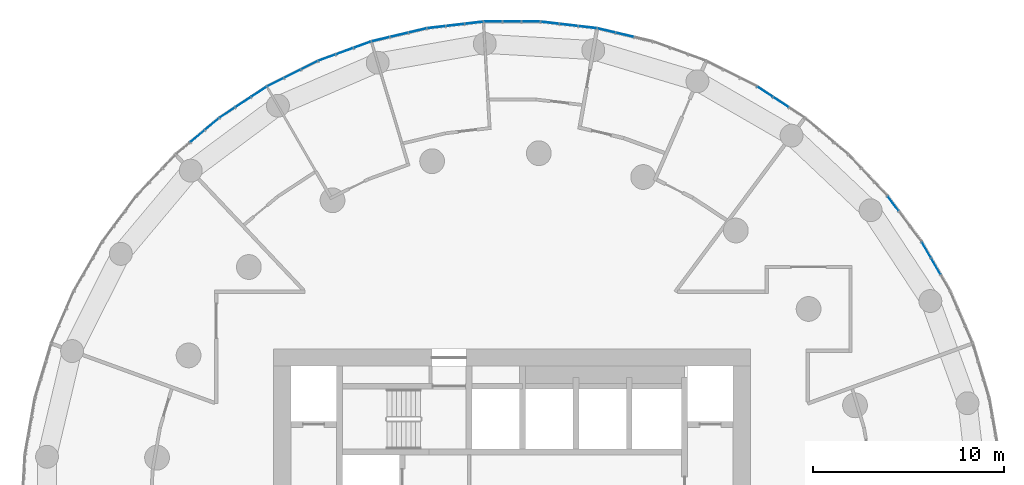
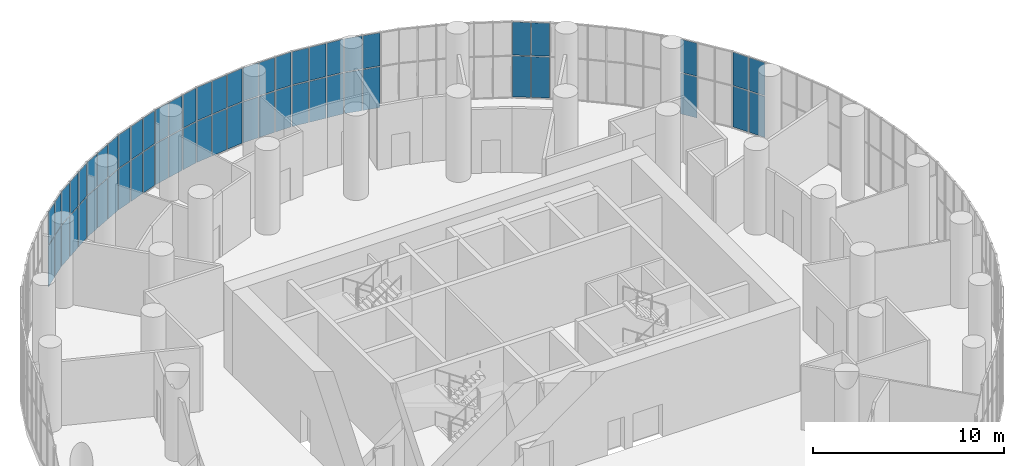
# One storey, part 14 of 21: 60 plates, 12 elements without a shape of their own.
"""IFC4 building model written with IfcOpenShell, lengths in metres."""

from ifc_helpers import new_model, si_unit, direction, frame, origin, origin_2d, place, context, subcontext, project, spatial, rectangle, extrude, material, layer, layer_set, type_object, element, aggregate, save


model = new_model("IFC4")

# Units and contexts
model_context = context("Model", 3, precision=1e-05, world=origin(), true_north=direction((0.0, 1.0)))
body_context = subcontext(model_context, "Body", "Model", "MODEL_VIEW")
ifc_project = project(units=[si_unit("LENGTHUNIT", "METRE"), si_unit("AREAUNIT", "SQUARE_METRE"), si_unit("VOLUMEUNIT", "CUBIC_METRE"), si_unit("PLANEANGLEUNIT", "RADIAN"), si_unit("MASSUNIT", "GRAM", prefix="KILO")], contexts=[model_context])

# Site, building, storey
site_placement = place(None, origin())
site = spatial("IfcSite", under=ifc_project, at=site_placement, CompositionType="ELEMENT")
building_placement = place(site_placement, origin())
building = spatial("IfcBuilding", under=site, at=building_placement, Name="Tracery Tower", CompositionType="ELEMENT")
storey_placement = place(building_placement, frame((0.0, 0.0, 219.60009765625)))
storey = spatial("IfcBuildingStorey", under=building, at=storey_placement, Name="L57", CompositionType="ELEMENT", Elevation=219.60009765625)

# Curtain wall, plates
ifc_material_1 = material(Name="Aluminium curtain wall with tinted glass", Category="aluminium")
ifc_layer_1 = layer(ifc_material_1, 0.159912109375)
ifc_layer_set_1 = layer_set([ifc_layer_1], Name="Sky lounge 2 tracery curtain wall")
curtain_wall_type = type_object("IfcCurtainWallType", Name="Sky lounge 2 tracery curtain wall", PredefinedType="NOTDEFINED", material=ifc_layer_set_1)
curtain_wall_1_placement = place(storey_placement, origin())
curtain_wall_1 = element("IfcCurtainWall", 1, at=curtain_wall_1_placement, inside=storey, type_object=curtain_wall_type, Name="Sky lounge 2 curtain wall run 5", PredefinedType="NOTDEFINED")
ifc_material_2 = material(Name="Tinted laminated glass", Category="glass")
ifc_layer_2 = layer(ifc_material_2, 0.028076171875)
ifc_layer_set_2 = layer_set([ifc_layer_2], Name="Sky lounge 2 glass panel 28")
plate_type = type_object("IfcPlateType", Name="Sky lounge 2 glass panel 28", PredefinedType="CURTAIN_PANEL", material=ifc_layer_set_2)
plate_1_placement = place(storey_placement, frame((22.225830078125, 12.83203125, 0.06005859375), z_axis=(0.0, 0.0, 1.0), x_axis=(-0.5, 0.866025403784, 0.0)))
plate_1 = element("IfcPlate", 2, at=plate_1_placement, type_object=plate_type, Name="Sky lounge 2 curtain wall run 5 glass panel 3", PredefinedType="CURTAIN_PANEL", context=body_context, shape_type="SweptSolid", body=[
    extrude(rectangle(XDim=0.9365234375, YDim=0.028076171875, at=origin_2d()), origin(), (0.0, 0.0, 1.0), 2.610107421875),
])
plate_2_placement = place(storey_placement, frame((22.225830078125, 12.83203125, 2.72998046875), z_axis=(0.0, 0.0, 1.0), x_axis=(-0.5, 0.866025403784, 0.0)))
plate_2 = element("IfcPlate", 3, at=plate_2_placement, type_object=plate_type, Name="Sky lounge 2 curtain wall run 5 glass panel 4", PredefinedType="CURTAIN_PANEL", context=body_context, shape_type="SweptSolid", body=[
    extrude(rectangle(XDim=0.9365234375, YDim=0.028076171875, at=origin_2d()), origin(), (0.0, 0.0, 1.0), 2.110107421875),
])
plate_3_placement = place(storey_placement, frame((21.7275390625, 13.695068359375, 0.06005859375), z_axis=(0.0, 0.0, 1.0), x_axis=(-0.5, 0.866025403784, 0.0)))
plate_3 = element("IfcPlate", 4, at=plate_3_placement, type_object=plate_type, Name="Sky lounge 2 curtain wall run 5 glass panel 5", PredefinedType="CURTAIN_PANEL", context=body_context, shape_type="SweptSolid", body=[
    extrude(rectangle(XDim=0.9365234375, YDim=0.028076171875, at=origin_2d()), origin(), (0.0, 0.0, 1.0), 2.610107421875),
])
plate_4_placement = place(storey_placement, frame((21.7275390625, 13.695068359375, 2.72998046875), z_axis=(0.0, 0.0, 1.0), x_axis=(-0.5, 0.866025403784, 0.0)))
plate_4 = element("IfcPlate", 5, at=plate_4_placement, type_object=plate_type, Name="Sky lounge 2 curtain wall run 5 glass panel 6", PredefinedType="CURTAIN_PANEL", context=body_context, shape_type="SweptSolid", body=[
    extrude(rectangle(XDim=0.9365234375, YDim=0.028076171875, at=origin_2d()), origin(), (0.0, 0.0, 1.0), 2.110107421875),
])
aggregate(curtain_wall_1, [plate_1, plate_2, plate_3, plate_4])

curtain_wall_2_placement = place(storey_placement, origin())
curtain_wall_2 = element("IfcCurtainWall", 6, at=curtain_wall_2_placement, inside=storey, type_object=curtain_wall_type, Name="Sky lounge 2 curtain wall run 6", PredefinedType="NOTDEFINED")
plate_5_placement = place(storey_placement, frame((19.99072265625, 16.124755859375, 0.06005859375), z_axis=(0.0, 0.0, 1.0), x_axis=(-0.597158591707, 0.802123192752, 0.0)))
plate_5 = element("IfcPlate", 7, at=plate_5_placement, type_object=plate_type, Name="Sky lounge 2 curtain wall run 6 glass panel 5", PredefinedType="CURTAIN_PANEL", context=body_context, shape_type="SweptSolid", body=[
    extrude(rectangle(XDim=0.9365234375, YDim=0.028076171875, at=origin_2d()), origin(), (0.0, 0.0, 1.0), 2.610107421875),
])
plate_6_placement = place(storey_placement, frame((19.99072265625, 16.124755859375, 2.72998046875), z_axis=(0.0, 0.0, 1.0), x_axis=(-0.597158591707, 0.802123192752, 0.0)))
plate_6 = element("IfcPlate", 8, at=plate_6_placement, type_object=plate_type, Name="Sky lounge 2 curtain wall run 6 glass panel 6", PredefinedType="CURTAIN_PANEL", context=body_context, shape_type="SweptSolid", body=[
    extrude(rectangle(XDim=0.9365234375, YDim=0.028076171875, at=origin_2d()), origin(), (0.0, 0.0, 1.0), 2.110107421875),
])
aggregate(curtain_wall_2, [plate_5, plate_6])

curtain_wall_3_placement = place(storey_placement, origin())
curtain_wall_3 = element("IfcCurtainWall", 9, at=curtain_wall_3_placement, inside=storey, type_object=curtain_wall_type, Name="Sky lounge 2 curtain wall run 9", PredefinedType="NOTDEFINED")
plate_7_placement = place(storey_placement, frame((14.1025390625, 21.44189453125, 0.06005859375), z_axis=(0.0, 0.0, 1.0), x_axis=(-0.835487811416, 0.549508978066, 0.0)))
plate_7 = element("IfcPlate", 10, at=plate_7_placement, type_object=plate_type, Name="Sky lounge 2 curtain wall run 9 glass panel 3", PredefinedType="CURTAIN_PANEL", context=body_context, shape_type="SweptSolid", body=[
    extrude(rectangle(XDim=0.9365234375, YDim=0.028076171875, at=origin_2d()), origin(), (0.0, 0.0, 1.0), 2.610107421875),
])
plate_8_placement = place(storey_placement, frame((14.1025390625, 21.44189453125, 2.72998046875), z_axis=(0.0, 0.0, 1.0), x_axis=(-0.835487811416, 0.549508978066, 0.0)))
plate_8 = element("IfcPlate", 11, at=plate_8_placement, type_object=plate_type, Name="Sky lounge 2 curtain wall run 9 glass panel 4", PredefinedType="CURTAIN_PANEL", context=body_context, shape_type="SweptSolid", body=[
    extrude(rectangle(XDim=0.9365234375, YDim=0.028076171875, at=origin_2d()), origin(), (0.0, 0.0, 1.0), 2.110107421875),
])
plate_9_placement = place(storey_placement, frame((13.27001953125, 21.989501953125, 0.06005859375), z_axis=(0.0, 0.0, 1.0), x_axis=(-0.835487811416, 0.549508978066, 0.0)))
plate_9 = element("IfcPlate", 12, at=plate_9_placement, type_object=plate_type, Name="Sky lounge 2 curtain wall run 9 glass panel 5", PredefinedType="CURTAIN_PANEL", context=body_context, shape_type="SweptSolid", body=[
    extrude(rectangle(XDim=0.9365234375, YDim=0.028076171875, at=origin_2d()), origin(), (0.0, 0.0, 1.0), 2.610107421875),
])
plate_10_placement = place(storey_placement, frame((13.27001953125, 21.989501953125, 2.72998046875), z_axis=(0.0, 0.0, 1.0), x_axis=(-0.835487811416, 0.549508978066, 0.0)))
plate_10 = element("IfcPlate", 13, at=plate_10_placement, type_object=plate_type, Name="Sky lounge 2 curtain wall run 9 glass panel 6", PredefinedType="CURTAIN_PANEL", context=body_context, shape_type="SweptSolid", body=[
    extrude(rectangle(XDim=0.9365234375, YDim=0.028076171875, at=origin_2d()), origin(), (0.0, 0.0, 1.0), 2.110107421875),
])
aggregate(curtain_wall_3, [plate_7, plate_8, plate_9, plate_10])

curtain_wall_4_placement = place(storey_placement, origin())
curtain_wall_4 = element("IfcCurtainWall", 14, at=curtain_wall_4_placement, inside=storey, type_object=curtain_wall_type, Name="Sky lounge 2 curtain wall run 12", PredefinedType="NOTDEFINED")
plate_11_placement = place(storey_placement, frame((5.91845703125, 24.97216796875, 0.06005859375), z_axis=(0.0, 0.0, 1.0), x_axis=(-0.973044870581, 0.230615870737, 0.0)))
plate_11 = element("IfcPlate", 15, at=plate_11_placement, type_object=plate_type, Name="Sky lounge 2 curtain wall run 12 glass panel 3", PredefinedType="CURTAIN_PANEL", context=body_context, shape_type="SweptSolid", body=[
    extrude(rectangle(XDim=0.9365234375, YDim=0.028076171875, at=origin_2d()), origin(), (0.0, 0.0, 1.0), 2.610107421875),
])
plate_12_placement = place(storey_placement, frame((5.91845703125, 24.97216796875, 2.72998046875), z_axis=(0.0, 0.0, 1.0), x_axis=(-0.973044870581, 0.230615870737, 0.0)))
plate_12 = element("IfcPlate", 16, at=plate_12_placement, type_object=plate_type, Name="Sky lounge 2 curtain wall run 12 glass panel 4", PredefinedType="CURTAIN_PANEL", context=body_context, shape_type="SweptSolid", body=[
    extrude(rectangle(XDim=0.9365234375, YDim=0.028076171875, at=origin_2d()), origin(), (0.0, 0.0, 1.0), 2.110107421875),
])
plate_13_placement = place(storey_placement, frame((4.948974609375, 25.2021484375, 0.06005859375), z_axis=(0.0, 0.0, 1.0), x_axis=(-0.973044870581, 0.230615870737, 0.0)))
plate_13 = element("IfcPlate", 17, at=plate_13_placement, type_object=plate_type, Name="Sky lounge 2 curtain wall run 12 glass panel 5", PredefinedType="CURTAIN_PANEL", context=body_context, shape_type="SweptSolid", body=[
    extrude(rectangle(XDim=0.9365234375, YDim=0.028076171875, at=origin_2d()), origin(), (0.0, 0.0, 1.0), 2.610107421875),
])
plate_14_placement = place(storey_placement, frame((4.948974609375, 25.2021484375, 2.72998046875), z_axis=(0.0, 0.0, 1.0), x_axis=(-0.973044870581, 0.230615870737, 0.0)))
plate_14 = element("IfcPlate", 18, at=plate_14_placement, type_object=plate_type, Name="Sky lounge 2 curtain wall run 12 glass panel 6", PredefinedType="CURTAIN_PANEL", context=body_context, shape_type="SweptSolid", body=[
    extrude(rectangle(XDim=0.9365234375, YDim=0.028076171875, at=origin_2d()), origin(), (0.0, 0.0, 1.0), 2.110107421875),
])
aggregate(curtain_wall_4, [plate_11, plate_12, plate_13, plate_14])

curtain_wall_5_placement = place(storey_placement, origin())
curtain_wall_5 = element("IfcCurtainWall", 19, at=curtain_wall_5_placement, inside=storey, type_object=curtain_wall_type, Name="Sky lounge 2 curtain wall run 13", PredefinedType="NOTDEFINED")
plate_15_placement = place(storey_placement, frame((3.96923828125, 25.374755859375, 0.06005859375), z_axis=(0.0, 0.0, 1.0), x_axis=(-0.993238357741, 0.116092914131, 0.0)))
plate_15 = element("IfcPlate", 20, at=plate_15_placement, type_object=plate_type, Name="Sky lounge 2 curtain wall run 13 glass panel 1", PredefinedType="CURTAIN_PANEL", context=body_context, shape_type="SweptSolid", body=[
    extrude(rectangle(XDim=0.9365234375, YDim=0.028076171875, at=origin_2d()), origin(), (0.0, 0.0, 1.0), 2.610107421875),
])
plate_16_placement = place(storey_placement, frame((3.96923828125, 25.374755859375, 2.72998046875), z_axis=(0.0, 0.0, 1.0), x_axis=(-0.993238357741, 0.116092914131, 0.0)))
plate_16 = element("IfcPlate", 21, at=plate_16_placement, type_object=plate_type, Name="Sky lounge 2 curtain wall run 13 glass panel 2", PredefinedType="CURTAIN_PANEL", context=body_context, shape_type="SweptSolid", body=[
    extrude(rectangle(XDim=0.9365234375, YDim=0.028076171875, at=origin_2d()), origin(), (0.0, 0.0, 1.0), 2.110107421875),
])
plate_17_placement = place(storey_placement, frame((2.9794921875, 25.490478515625, 0.06005859375), z_axis=(0.0, 0.0, 1.0), x_axis=(-0.993238357741, 0.116092914131, 0.0)))
plate_17 = element("IfcPlate", 22, at=plate_17_placement, type_object=plate_type, Name="Sky lounge 2 curtain wall run 13 glass panel 3", PredefinedType="CURTAIN_PANEL", context=body_context, shape_type="SweptSolid", body=[
    extrude(rectangle(XDim=0.9365234375, YDim=0.028076171875, at=origin_2d()), origin(), (0.0, 0.0, 1.0), 2.610107421875),
])
plate_18_placement = place(storey_placement, frame((2.9794921875, 25.490478515625, 2.72998046875), z_axis=(0.0, 0.0, 1.0), x_axis=(-0.993238357741, 0.116092914131, 0.0)))
plate_18 = element("IfcPlate", 23, at=plate_18_placement, type_object=plate_type, Name="Sky lounge 2 curtain wall run 13 glass panel 4", PredefinedType="CURTAIN_PANEL", context=body_context, shape_type="SweptSolid", body=[
    extrude(rectangle(XDim=0.9365234375, YDim=0.028076171875, at=origin_2d()), origin(), (0.0, 0.0, 1.0), 2.110107421875),
])
plate_19_placement = place(storey_placement, frame((1.98974609375, 25.606201171875, 0.06005859375), z_axis=(0.0, 0.0, 1.0), x_axis=(-0.993238357741, 0.116092914131, 0.0)))
plate_19 = element("IfcPlate", 24, at=plate_19_placement, type_object=plate_type, Name="Sky lounge 2 curtain wall run 13 glass panel 5", PredefinedType="CURTAIN_PANEL", context=body_context, shape_type="SweptSolid", body=[
    extrude(rectangle(XDim=0.9365234375, YDim=0.028076171875, at=origin_2d()), origin(), (0.0, 0.0, 1.0), 2.610107421875),
])
plate_20_placement = place(storey_placement, frame((1.98974609375, 25.606201171875, 2.72998046875), z_axis=(0.0, 0.0, 1.0), x_axis=(-0.993238357741, 0.116092914131, 0.0)))
plate_20 = element("IfcPlate", 25, at=plate_20_placement, type_object=plate_type, Name="Sky lounge 2 curtain wall run 13 glass panel 6", PredefinedType="CURTAIN_PANEL", context=body_context, shape_type="SweptSolid", body=[
    extrude(rectangle(XDim=0.9365234375, YDim=0.028076171875, at=origin_2d()), origin(), (0.0, 0.0, 1.0), 2.110107421875),
])
aggregate(curtain_wall_5, [plate_15, plate_16, plate_17, plate_18, plate_19, plate_20])

curtain_wall_6_placement = place(storey_placement, origin())
curtain_wall_6 = element("IfcCurtainWall", 26, at=curtain_wall_6_placement, inside=storey, type_object=curtain_wall_type, Name="Sky lounge 2 curtain wall run 14", PredefinedType="NOTDEFINED")
plate_21_placement = place(storey_placement, frame((0.99658203125, 25.6640625, 0.06005859375), z_axis=(0.0, 0.0, 1.0), x_axis=(-1.0, 0.0, 0.0)))
plate_21 = element("IfcPlate", 27, at=plate_21_placement, type_object=plate_type, Name="Sky lounge 2 curtain wall run 14 glass panel 1", PredefinedType="CURTAIN_PANEL", context=body_context, shape_type="SweptSolid", body=[
    extrude(rectangle(XDim=0.9365234375, YDim=0.028076171875, at=origin_2d()), origin(), (0.0, 0.0, 1.0), 2.610107421875),
])
plate_22_placement = place(storey_placement, frame((0.99658203125, 25.6640625, 2.72998046875), z_axis=(0.0, 0.0, 1.0), x_axis=(-1.0, 0.0, 0.0)))
plate_22 = element("IfcPlate", 28, at=plate_22_placement, type_object=plate_type, Name="Sky lounge 2 curtain wall run 14 glass panel 2", PredefinedType="CURTAIN_PANEL", context=body_context, shape_type="SweptSolid", body=[
    extrude(rectangle(XDim=0.9365234375, YDim=0.028076171875, at=origin_2d()), origin(), (0.0, 0.0, 1.0), 2.110107421875),
])
plate_23_placement = place(storey_placement, frame((0.0, 25.6640625, 0.06005859375), z_axis=(0.0, 0.0, 1.0), x_axis=(-1.0, 0.0, 0.0)))
plate_23 = element("IfcPlate", 29, at=plate_23_placement, type_object=plate_type, Name="Sky lounge 2 curtain wall run 14 glass panel 3", PredefinedType="CURTAIN_PANEL", context=body_context, shape_type="SweptSolid", body=[
    extrude(rectangle(XDim=0.9365234375, YDim=0.028076171875, at=origin_2d()), origin(), (0.0, 0.0, 1.0), 2.610107421875),
])
plate_24_placement = place(storey_placement, frame((0.0, 25.6640625, 2.72998046875), z_axis=(0.0, 0.0, 1.0), x_axis=(-1.0, 0.0, 0.0)))
plate_24 = element("IfcPlate", 30, at=plate_24_placement, type_object=plate_type, Name="Sky lounge 2 curtain wall run 14 glass panel 4", PredefinedType="CURTAIN_PANEL", context=body_context, shape_type="SweptSolid", body=[
    extrude(rectangle(XDim=0.9365234375, YDim=0.028076171875, at=origin_2d()), origin(), (0.0, 0.0, 1.0), 2.110107421875),
])
plate_25_placement = place(storey_placement, frame((-0.99658203125, 25.6640625, 0.06005859375), z_axis=(0.0, 0.0, 1.0), x_axis=(-1.0, 0.0, 0.0)))
plate_25 = element("IfcPlate", 31, at=plate_25_placement, type_object=plate_type, Name="Sky lounge 2 curtain wall run 14 glass panel 5", PredefinedType="CURTAIN_PANEL", context=body_context, shape_type="SweptSolid", body=[
    extrude(rectangle(XDim=0.9365234375, YDim=0.028076171875, at=origin_2d()), origin(), (0.0, 0.0, 1.0), 2.610107421875),
])
plate_26_placement = place(storey_placement, frame((-0.99658203125, 25.6640625, 2.72998046875), z_axis=(0.0, 0.0, 1.0), x_axis=(-1.0, 0.0, 0.0)))
plate_26 = element("IfcPlate", 32, at=plate_26_placement, type_object=plate_type, Name="Sky lounge 2 curtain wall run 14 glass panel 6", PredefinedType="CURTAIN_PANEL", context=body_context, shape_type="SweptSolid", body=[
    extrude(rectangle(XDim=0.9365234375, YDim=0.028076171875, at=origin_2d()), origin(), (0.0, 0.0, 1.0), 2.110107421875),
])
aggregate(curtain_wall_6, [plate_21, plate_22, plate_23, plate_24, plate_25, plate_26])

curtain_wall_7_placement = place(storey_placement, origin())
curtain_wall_7 = element("IfcCurtainWall", 33, at=curtain_wall_7_placement, inside=storey, type_object=curtain_wall_type, Name="Sky lounge 2 curtain wall run 15", PredefinedType="NOTDEFINED")
plate_27_placement = place(storey_placement, frame((-1.98974609375, 25.606201171875, 0.06005859375), z_axis=(0.0, 0.0, 1.0), x_axis=(-0.993238357741, -0.116092914131, 0.0)))
plate_27 = element("IfcPlate", 34, at=plate_27_placement, type_object=plate_type, Name="Sky lounge 2 curtain wall run 15 glass panel 1", PredefinedType="CURTAIN_PANEL", context=body_context, shape_type="SweptSolid", body=[
    extrude(rectangle(XDim=0.9365234375, YDim=0.028076171875, at=origin_2d()), origin(), (0.0, 0.0, 1.0), 2.610107421875),
])
plate_28_placement = place(storey_placement, frame((-1.98974609375, 25.606201171875, 2.72998046875), z_axis=(0.0, 0.0, 1.0), x_axis=(-0.993238357741, -0.116092914131, 0.0)))
plate_28 = element("IfcPlate", 35, at=plate_28_placement, type_object=plate_type, Name="Sky lounge 2 curtain wall run 15 glass panel 2", PredefinedType="CURTAIN_PANEL", context=body_context, shape_type="SweptSolid", body=[
    extrude(rectangle(XDim=0.9365234375, YDim=0.028076171875, at=origin_2d()), origin(), (0.0, 0.0, 1.0), 2.110107421875),
])
plate_29_placement = place(storey_placement, frame((-2.9794921875, 25.490478515625, 0.06005859375), z_axis=(0.0, 0.0, 1.0), x_axis=(-0.993238357741, -0.116092914131, 0.0)))
plate_29 = element("IfcPlate", 36, at=plate_29_placement, type_object=plate_type, Name="Sky lounge 2 curtain wall run 15 glass panel 3", PredefinedType="CURTAIN_PANEL", context=body_context, shape_type="SweptSolid", body=[
    extrude(rectangle(XDim=0.9365234375, YDim=0.028076171875, at=origin_2d()), origin(), (0.0, 0.0, 1.0), 2.610107421875),
])
plate_30_placement = place(storey_placement, frame((-2.9794921875, 25.490478515625, 2.72998046875), z_axis=(0.0, 0.0, 1.0), x_axis=(-0.993238357741, -0.116092914131, 0.0)))
plate_30 = element("IfcPlate", 37, at=plate_30_placement, type_object=plate_type, Name="Sky lounge 2 curtain wall run 15 glass panel 4", PredefinedType="CURTAIN_PANEL", context=body_context, shape_type="SweptSolid", body=[
    extrude(rectangle(XDim=0.9365234375, YDim=0.028076171875, at=origin_2d()), origin(), (0.0, 0.0, 1.0), 2.110107421875),
])
plate_31_placement = place(storey_placement, frame((-3.96923828125, 25.374755859375, 0.06005859375), z_axis=(0.0, 0.0, 1.0), x_axis=(-0.993238357741, -0.116092914131, 0.0)))
plate_31 = element("IfcPlate", 38, at=plate_31_placement, type_object=plate_type, Name="Sky lounge 2 curtain wall run 15 glass panel 5", PredefinedType="CURTAIN_PANEL", context=body_context, shape_type="SweptSolid", body=[
    extrude(rectangle(XDim=0.9365234375, YDim=0.028076171875, at=origin_2d()), origin(), (0.0, 0.0, 1.0), 2.610107421875),
])
plate_32_placement = place(storey_placement, frame((-3.96923828125, 25.374755859375, 2.72998046875), z_axis=(0.0, 0.0, 1.0), x_axis=(-0.993238357741, -0.116092914131, 0.0)))
plate_32 = element("IfcPlate", 39, at=plate_32_placement, type_object=plate_type, Name="Sky lounge 2 curtain wall run 15 glass panel 6", PredefinedType="CURTAIN_PANEL", context=body_context, shape_type="SweptSolid", body=[
    extrude(rectangle(XDim=0.9365234375, YDim=0.028076171875, at=origin_2d()), origin(), (0.0, 0.0, 1.0), 2.110107421875),
])
aggregate(curtain_wall_7, [plate_27, plate_28, plate_29, plate_30, plate_31, plate_32])

curtain_wall_8_placement = place(storey_placement, origin())
curtain_wall_8 = element("IfcCurtainWall", 40, at=curtain_wall_8_placement, inside=storey, type_object=curtain_wall_type, Name="Sky lounge 2 curtain wall run 16", PredefinedType="NOTDEFINED")
plate_33_placement = place(storey_placement, frame((-4.948974609375, 25.2021484375, 0.06005859375), z_axis=(0.0, 0.0, 1.0), x_axis=(-0.973044870581, -0.230615870737, 0.0)))
plate_33 = element("IfcPlate", 41, at=plate_33_placement, type_object=plate_type, Name="Sky lounge 2 curtain wall run 16 glass panel 1", PredefinedType="CURTAIN_PANEL", context=body_context, shape_type="SweptSolid", body=[
    extrude(rectangle(XDim=0.9365234375, YDim=0.028076171875, at=origin_2d()), origin(), (0.0, 0.0, 1.0), 2.610107421875),
])
plate_34_placement = place(storey_placement, frame((-4.948974609375, 25.2021484375, 2.72998046875), z_axis=(0.0, 0.0, 1.0), x_axis=(-0.973044870581, -0.230615870737, 0.0)))
plate_34 = element("IfcPlate", 42, at=plate_34_placement, type_object=plate_type, Name="Sky lounge 2 curtain wall run 16 glass panel 2", PredefinedType="CURTAIN_PANEL", context=body_context, shape_type="SweptSolid", body=[
    extrude(rectangle(XDim=0.9365234375, YDim=0.028076171875, at=origin_2d()), origin(), (0.0, 0.0, 1.0), 2.110107421875),
])
plate_35_placement = place(storey_placement, frame((-5.91845703125, 24.97216796875, 0.06005859375), z_axis=(0.0, 0.0, 1.0), x_axis=(-0.973044870581, -0.230615870737, 0.0)))
plate_35 = element("IfcPlate", 43, at=plate_35_placement, type_object=plate_type, Name="Sky lounge 2 curtain wall run 16 glass panel 3", PredefinedType="CURTAIN_PANEL", context=body_context, shape_type="SweptSolid", body=[
    extrude(rectangle(XDim=0.9365234375, YDim=0.028076171875, at=origin_2d()), origin(), (0.0, 0.0, 1.0), 2.610107421875),
])
plate_36_placement = place(storey_placement, frame((-5.91845703125, 24.97216796875, 2.72998046875), z_axis=(0.0, 0.0, 1.0), x_axis=(-0.973044870581, -0.230615870737, 0.0)))
plate_36 = element("IfcPlate", 44, at=plate_36_placement, type_object=plate_type, Name="Sky lounge 2 curtain wall run 16 glass panel 4", PredefinedType="CURTAIN_PANEL", context=body_context, shape_type="SweptSolid", body=[
    extrude(rectangle(XDim=0.9365234375, YDim=0.028076171875, at=origin_2d()), origin(), (0.0, 0.0, 1.0), 2.110107421875),
])
plate_37_placement = place(storey_placement, frame((-6.88818359375, 24.742431640625, 0.06005859375), z_axis=(0.0, 0.0, 1.0), x_axis=(-0.973044870581, -0.230615870737, 0.0)))
plate_37 = element("IfcPlate", 45, at=plate_37_placement, type_object=plate_type, Name="Sky lounge 2 curtain wall run 16 glass panel 5", PredefinedType="CURTAIN_PANEL", context=body_context, shape_type="SweptSolid", body=[
    extrude(rectangle(XDim=0.9365234375, YDim=0.028076171875, at=origin_2d()), origin(), (0.0, 0.0, 1.0), 2.610107421875),
])
plate_38_placement = place(storey_placement, frame((-6.88818359375, 24.742431640625, 2.72998046875), z_axis=(0.0, 0.0, 1.0), x_axis=(-0.973044870581, -0.230615870737, 0.0)))
plate_38 = element("IfcPlate", 46, at=plate_38_placement, type_object=plate_type, Name="Sky lounge 2 curtain wall run 16 glass panel 6", PredefinedType="CURTAIN_PANEL", context=body_context, shape_type="SweptSolid", body=[
    extrude(rectangle(XDim=0.9365234375, YDim=0.028076171875, at=origin_2d()), origin(), (0.0, 0.0, 1.0), 2.110107421875),
])
aggregate(curtain_wall_8, [plate_33, plate_34, plate_35, plate_36, plate_37, plate_38])

curtain_wall_9_placement = place(storey_placement, origin())
curtain_wall_9 = element("IfcCurtainWall", 47, at=curtain_wall_9_placement, inside=storey, type_object=curtain_wall_type, Name="Sky lounge 2 curtain wall run 17", PredefinedType="NOTDEFINED")
plate_39_placement = place(storey_placement, frame((-7.84130859375, 24.45703125, 0.06005859375), z_axis=(0.0, 0.0, 1.0), x_axis=(-0.939692620786, -0.342020143326, 0.0)))
plate_39 = element("IfcPlate", 48, at=plate_39_placement, type_object=plate_type, Name="Sky lounge 2 curtain wall run 17 glass panel 1", PredefinedType="CURTAIN_PANEL", context=body_context, shape_type="SweptSolid", body=[
    extrude(rectangle(XDim=0.9365234375, YDim=0.028076171875, at=origin_2d()), origin(), (0.0, 0.0, 1.0), 2.610107421875),
])
plate_40_placement = place(storey_placement, frame((-7.84130859375, 24.45703125, 2.72998046875), z_axis=(0.0, 0.0, 1.0), x_axis=(-0.939692620786, -0.342020143326, 0.0)))
plate_40 = element("IfcPlate", 49, at=plate_40_placement, type_object=plate_type, Name="Sky lounge 2 curtain wall run 17 glass panel 2", PredefinedType="CURTAIN_PANEL", context=body_context, shape_type="SweptSolid", body=[
    extrude(rectangle(XDim=0.9365234375, YDim=0.028076171875, at=origin_2d()), origin(), (0.0, 0.0, 1.0), 2.110107421875),
])
plate_41_placement = place(storey_placement, frame((-8.777587890625, 24.1162109375, 0.06005859375), z_axis=(0.0, 0.0, 1.0), x_axis=(-0.939692620786, -0.342020143326, 0.0)))
plate_41 = element("IfcPlate", 50, at=plate_41_placement, type_object=plate_type, Name="Sky lounge 2 curtain wall run 17 glass panel 3", PredefinedType="CURTAIN_PANEL", context=body_context, shape_type="SweptSolid", body=[
    extrude(rectangle(XDim=0.9365234375, YDim=0.028076171875, at=origin_2d()), origin(), (0.0, 0.0, 1.0), 2.610107421875),
])
plate_42_placement = place(storey_placement, frame((-8.777587890625, 24.1162109375, 2.72998046875), z_axis=(0.0, 0.0, 1.0), x_axis=(-0.939692620786, -0.342020143326, 0.0)))
plate_42 = element("IfcPlate", 51, at=plate_42_placement, type_object=plate_type, Name="Sky lounge 2 curtain wall run 17 glass panel 4", PredefinedType="CURTAIN_PANEL", context=body_context, shape_type="SweptSolid", body=[
    extrude(rectangle(XDim=0.9365234375, YDim=0.028076171875, at=origin_2d()), origin(), (0.0, 0.0, 1.0), 2.110107421875),
])
plate_43_placement = place(storey_placement, frame((-9.714111328125, 23.775390625, 0.06005859375), z_axis=(0.0, 0.0, 1.0), x_axis=(-0.939692620786, -0.342020143326, 0.0)))
plate_43 = element("IfcPlate", 52, at=plate_43_placement, type_object=plate_type, Name="Sky lounge 2 curtain wall run 17 glass panel 5", PredefinedType="CURTAIN_PANEL", context=body_context, shape_type="SweptSolid", body=[
    extrude(rectangle(XDim=0.9365234375, YDim=0.028076171875, at=origin_2d()), origin(), (0.0, 0.0, 1.0), 2.610107421875),
])
plate_44_placement = place(storey_placement, frame((-9.714111328125, 23.775390625, 2.72998046875), z_axis=(0.0, 0.0, 1.0), x_axis=(-0.939692620786, -0.342020143326, 0.0)))
plate_44 = element("IfcPlate", 53, at=plate_44_placement, type_object=plate_type, Name="Sky lounge 2 curtain wall run 17 glass panel 6", PredefinedType="CURTAIN_PANEL", context=body_context, shape_type="SweptSolid", body=[
    extrude(rectangle(XDim=0.9365234375, YDim=0.028076171875, at=origin_2d()), origin(), (0.0, 0.0, 1.0), 2.110107421875),
])
aggregate(curtain_wall_9, [plate_39, plate_40, plate_41, plate_42, plate_43, plate_44])

curtain_wall_10_placement = place(storey_placement, origin())
curtain_wall_10 = element("IfcCurtainWall", 54, at=curtain_wall_10_placement, inside=storey, type_object=curtain_wall_type, Name="Sky lounge 2 curtain wall run 18", PredefinedType="NOTDEFINED")
plate_45_placement = place(storey_placement, frame((-10.62744140625, 23.38134765625, 0.06005859375), z_axis=(0.0, 0.0, 1.0), x_axis=(-0.893632640321, -0.448799180206, 0.0)))
plate_45 = element("IfcPlate", 55, at=plate_45_placement, type_object=plate_type, Name="Sky lounge 2 curtain wall run 18 glass panel 1", PredefinedType="CURTAIN_PANEL", context=body_context, shape_type="SweptSolid", body=[
    extrude(rectangle(XDim=0.9365234375, YDim=0.028076171875, at=origin_2d()), origin(), (0.0, 0.0, 1.0), 2.610107421875),
])
plate_46_placement = place(storey_placement, frame((-10.62744140625, 23.38134765625, 2.72998046875), z_axis=(0.0, 0.0, 1.0), x_axis=(-0.893632640321, -0.448799180206, 0.0)))
plate_46 = element("IfcPlate", 56, at=plate_46_placement, type_object=plate_type, Name="Sky lounge 2 curtain wall run 18 glass panel 2", PredefinedType="CURTAIN_PANEL", context=body_context, shape_type="SweptSolid", body=[
    extrude(rectangle(XDim=0.9365234375, YDim=0.028076171875, at=origin_2d()), origin(), (0.0, 0.0, 1.0), 2.110107421875),
])
plate_47_placement = place(storey_placement, frame((-11.51806640625, 22.934326171875, 0.06005859375), z_axis=(0.0, 0.0, 1.0), x_axis=(-0.893632640321, -0.448799180206, 0.0)))
plate_47 = element("IfcPlate", 57, at=plate_47_placement, type_object=plate_type, Name="Sky lounge 2 curtain wall run 18 glass panel 3", PredefinedType="CURTAIN_PANEL", context=body_context, shape_type="SweptSolid", body=[
    extrude(rectangle(XDim=0.9365234375, YDim=0.028076171875, at=origin_2d()), origin(), (0.0, 0.0, 1.0), 2.610107421875),
])
plate_48_placement = place(storey_placement, frame((-11.51806640625, 22.934326171875, 2.72998046875), z_axis=(0.0, 0.0, 1.0), x_axis=(-0.893632640321, -0.448799180206, 0.0)))
plate_48 = element("IfcPlate", 58, at=plate_48_placement, type_object=plate_type, Name="Sky lounge 2 curtain wall run 18 glass panel 4", PredefinedType="CURTAIN_PANEL", context=body_context, shape_type="SweptSolid", body=[
    extrude(rectangle(XDim=0.9365234375, YDim=0.028076171875, at=origin_2d()), origin(), (0.0, 0.0, 1.0), 2.110107421875),
])
plate_49_placement = place(storey_placement, frame((-12.408447265625, 22.487060546875, 0.06005859375), z_axis=(0.0, 0.0, 1.0), x_axis=(-0.893632640321, -0.448799180206, 0.0)))
plate_49 = element("IfcPlate", 59, at=plate_49_placement, type_object=plate_type, Name="Sky lounge 2 curtain wall run 18 glass panel 5", PredefinedType="CURTAIN_PANEL", context=body_context, shape_type="SweptSolid", body=[
    extrude(rectangle(XDim=0.9365234375, YDim=0.028076171875, at=origin_2d()), origin(), (0.0, 0.0, 1.0), 2.610107421875),
])
plate_50_placement = place(storey_placement, frame((-12.408447265625, 22.487060546875, 2.72998046875), z_axis=(0.0, 0.0, 1.0), x_axis=(-0.893632640321, -0.448799180206, 0.0)))
plate_50 = element("IfcPlate", 60, at=plate_50_placement, type_object=plate_type, Name="Sky lounge 2 curtain wall run 18 glass panel 6", PredefinedType="CURTAIN_PANEL", context=body_context, shape_type="SweptSolid", body=[
    extrude(rectangle(XDim=0.9365234375, YDim=0.028076171875, at=origin_2d()), origin(), (0.0, 0.0, 1.0), 2.110107421875),
])
aggregate(curtain_wall_10, [plate_45, plate_46, plate_47, plate_48, plate_49, plate_50])

curtain_wall_11_placement = place(storey_placement, origin())
curtain_wall_11 = element("IfcCurtainWall", 61, at=curtain_wall_11_placement, inside=storey, type_object=curtain_wall_type, Name="Sky lounge 2 curtain wall run 19", PredefinedType="NOTDEFINED")
plate_51_placement = place(storey_placement, frame((-13.27001953125, 21.989501953125, 0.06005859375), z_axis=(0.0, 0.0, 1.0), x_axis=(-0.835487811416, -0.549508978066, 0.0)))
plate_51 = element("IfcPlate", 62, at=plate_51_placement, type_object=plate_type, Name="Sky lounge 2 curtain wall run 19 glass panel 1", PredefinedType="CURTAIN_PANEL", context=body_context, shape_type="SweptSolid", body=[
    extrude(rectangle(XDim=0.9365234375, YDim=0.028076171875, at=origin_2d()), origin(), (0.0, 0.0, 1.0), 2.610107421875),
])
plate_52_placement = place(storey_placement, frame((-13.27001953125, 21.989501953125, 2.72998046875), z_axis=(0.0, 0.0, 1.0), x_axis=(-0.835487811416, -0.549508978066, 0.0)))
plate_52 = element("IfcPlate", 63, at=plate_52_placement, type_object=plate_type, Name="Sky lounge 2 curtain wall run 19 glass panel 2", PredefinedType="CURTAIN_PANEL", context=body_context, shape_type="SweptSolid", body=[
    extrude(rectangle(XDim=0.9365234375, YDim=0.028076171875, at=origin_2d()), origin(), (0.0, 0.0, 1.0), 2.110107421875),
])
plate_53_placement = place(storey_placement, frame((-14.1025390625, 21.44189453125, 0.06005859375), z_axis=(0.0, 0.0, 1.0), x_axis=(-0.835487811416, -0.549508978066, 0.0)))
plate_53 = element("IfcPlate", 64, at=plate_53_placement, type_object=plate_type, Name="Sky lounge 2 curtain wall run 19 glass panel 3", PredefinedType="CURTAIN_PANEL", context=body_context, shape_type="SweptSolid", body=[
    extrude(rectangle(XDim=0.9365234375, YDim=0.028076171875, at=origin_2d()), origin(), (0.0, 0.0, 1.0), 2.610107421875),
])
plate_54_placement = place(storey_placement, frame((-14.1025390625, 21.44189453125, 2.72998046875), z_axis=(0.0, 0.0, 1.0), x_axis=(-0.835487811416, -0.549508978066, 0.0)))
plate_54 = element("IfcPlate", 65, at=plate_54_placement, type_object=plate_type, Name="Sky lounge 2 curtain wall run 19 glass panel 4", PredefinedType="CURTAIN_PANEL", context=body_context, shape_type="SweptSolid", body=[
    extrude(rectangle(XDim=0.9365234375, YDim=0.028076171875, at=origin_2d()), origin(), (0.0, 0.0, 1.0), 2.110107421875),
])
plate_55_placement = place(storey_placement, frame((-14.935302734375, 20.89453125, 0.06005859375), z_axis=(0.0, 0.0, 1.0), x_axis=(-0.835487811416, -0.549508978066, 0.0)))
plate_55 = element("IfcPlate", 66, at=plate_55_placement, type_object=plate_type, Name="Sky lounge 2 curtain wall run 19 glass panel 5", PredefinedType="CURTAIN_PANEL", context=body_context, shape_type="SweptSolid", body=[
    extrude(rectangle(XDim=0.9365234375, YDim=0.028076171875, at=origin_2d()), origin(), (0.0, 0.0, 1.0), 2.610107421875),
])
plate_56_placement = place(storey_placement, frame((-14.935302734375, 20.89453125, 2.72998046875), z_axis=(0.0, 0.0, 1.0), x_axis=(-0.835487811416, -0.549508978066, 0.0)))
plate_56 = element("IfcPlate", 67, at=plate_56_placement, type_object=plate_type, Name="Sky lounge 2 curtain wall run 19 glass panel 6", PredefinedType="CURTAIN_PANEL", context=body_context, shape_type="SweptSolid", body=[
    extrude(rectangle(XDim=0.9365234375, YDim=0.028076171875, at=origin_2d()), origin(), (0.0, 0.0, 1.0), 2.110107421875),
])
aggregate(curtain_wall_11, [plate_51, plate_52, plate_53, plate_54, plate_55, plate_56])

curtain_wall_12_placement = place(storey_placement, origin())
curtain_wall_12 = element("IfcCurtainWall", 68, at=curtain_wall_12_placement, inside=storey, type_object=curtain_wall_type, Name="Sky lounge 2 curtain wall run 20", PredefinedType="NOTDEFINED")
plate_57_placement = place(storey_placement, frame((-15.733154296875, 20.30029296875, 0.06005859375), z_axis=(0.0, 0.0, 1.0), x_axis=(-0.766044443119, -0.642787609687, 0.0)))
plate_57 = element("IfcPlate", 69, at=plate_57_placement, type_object=plate_type, Name="Sky lounge 2 curtain wall run 20 glass panel 1", PredefinedType="CURTAIN_PANEL", context=body_context, shape_type="SweptSolid", body=[
    extrude(rectangle(XDim=0.9365234375, YDim=0.028076171875, at=origin_2d()), origin(), (0.0, 0.0, 1.0), 2.610107421875),
])
plate_58_placement = place(storey_placement, frame((-15.733154296875, 20.30029296875, 2.72998046875), z_axis=(0.0, 0.0, 1.0), x_axis=(-0.766044443119, -0.642787609687, 0.0)))
plate_58 = element("IfcPlate", 70, at=plate_58_placement, type_object=plate_type, Name="Sky lounge 2 curtain wall run 20 glass panel 2", PredefinedType="CURTAIN_PANEL", context=body_context, shape_type="SweptSolid", body=[
    extrude(rectangle(XDim=0.9365234375, YDim=0.028076171875, at=origin_2d()), origin(), (0.0, 0.0, 1.0), 2.110107421875),
])
plate_59_placement = place(storey_placement, frame((-16.49658203125, 19.659912109375, 0.06005859375), z_axis=(0.0, 0.0, 1.0), x_axis=(-0.766044443119, -0.642787609687, 0.0)))
plate_59 = element("IfcPlate", 71, at=plate_59_placement, type_object=plate_type, Name="Sky lounge 2 curtain wall run 20 glass panel 3", PredefinedType="CURTAIN_PANEL", context=body_context, shape_type="SweptSolid", body=[
    extrude(rectangle(XDim=0.9365234375, YDim=0.028076171875, at=origin_2d()), origin(), (0.0, 0.0, 1.0), 2.610107421875),
])
plate_60_placement = place(storey_placement, frame((-16.49658203125, 19.659912109375, 2.72998046875), z_axis=(0.0, 0.0, 1.0), x_axis=(-0.766044443119, -0.642787609687, 0.0)))
plate_60 = element("IfcPlate", 72, at=plate_60_placement, type_object=plate_type, Name="Sky lounge 2 curtain wall run 20 glass panel 4", PredefinedType="CURTAIN_PANEL", context=body_context, shape_type="SweptSolid", body=[
    extrude(rectangle(XDim=0.9365234375, YDim=0.028076171875, at=origin_2d()), origin(), (0.0, 0.0, 1.0), 2.110107421875),
])
aggregate(curtain_wall_12, [plate_57, plate_58, plate_59, plate_60])

save(model, "model.ifc")
